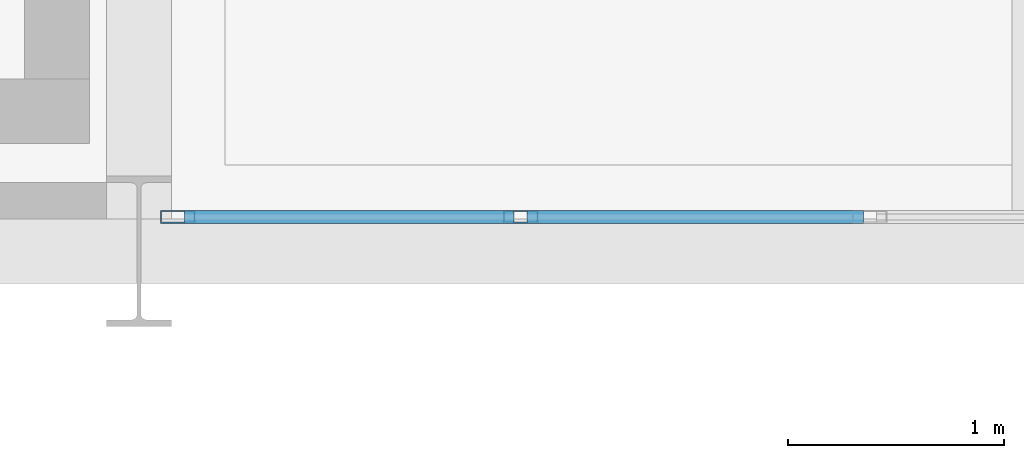
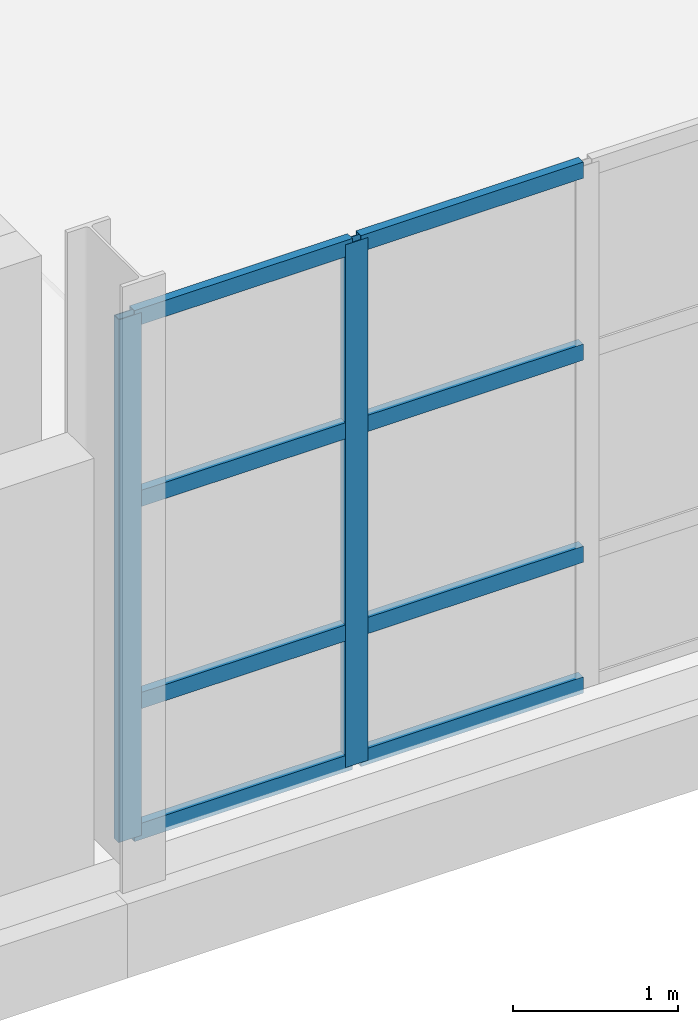
# One storey, part 32 of 113: 10 members, 1 element without a shape of its own.
"""IFC4 building model written with IfcOpenShell, lengths in metres."""

from ifc_helpers import new_model, si_unit, direction, frame, origin, origin_2d, place, context, subcontext, project, spatial, hollow_rectangle, extrude, material, material_profile, profile_set, type_object, element, aggregate, save


model = new_model("IFC4")

# Units and contexts
model_context = context("Model", 3, precision=1e-05, world=origin(), true_north=direction((0.0, 1.0)))
body_context = subcontext(model_context, "Body", "Model", "MODEL_VIEW")
ifc_project = project(units=[si_unit("LENGTHUNIT", "METRE"), si_unit("AREAUNIT", "SQUARE_METRE"), si_unit("VOLUMEUNIT", "CUBIC_METRE"), si_unit("PLANEANGLEUNIT", "RADIAN"), si_unit("MASSUNIT", "GRAM", prefix="KILO")], contexts=[model_context])

# Site, building, storey
site_placement = place(None, origin())
site = spatial("IfcSite", under=ifc_project, at=site_placement, CompositionType="ELEMENT")
building_placement = place(site_placement, origin())
building = spatial("IfcBuilding", under=site, at=building_placement, Name="Veltarok Museum of Natural Sciences", CompositionType="ELEMENT")
storey_placement = place(building_placement, frame((0.0, 0.0, 8.39990234375)))
storey = spatial("IfcBuildingStorey", under=building, at=storey_placement, Name="L01", CompositionType="ELEMENT", Elevation=8.39990234375)

# Curtain wall, members
ifc_material_1 = material(Name="Low-iron triple insulated glass", Category="glass")
curtain_wall_type = type_object("IfcCurtainWallType", Name="Curtain Wall System CW-V5S-L01-14-810x388 (V5 South Lab Curtain Wall L01 14-15 810x388cm)", PredefinedType="NOTDEFINED", material=ifc_material_1)
curtain_wall_placement = place(storey_placement, origin())
curtain_wall = element("IfcCurtainWall", 1, at=curtain_wall_placement, inside=storey, type_object=curtain_wall_type, Name="Curtain Wall CW-V5S-L01-14-810x388 CW-0089", PredefinedType="NOTDEFINED")
ifc_material_2 = material(Name="Thermally broken anodised aluminium", Category="aluminium")
ifc_material_profile_1 = material_profile(ifc_material_2, hollow_rectangle(XDim=0.06005859375, YDim=0.1201171875, WallThickness=0.0048828125, at=origin_2d()), Name="CW TRANSOM 60x120x5")
ifc_profile_set_1 = profile_set([ifc_material_profile_1], Name="Thermally broken anodised aluminium")
member_type_1 = type_object("IfcMemberType", Name="Curtain Wall Horizontal Transom 60x120x5", PredefinedType="USERDEFINED", material=ifc_profile_set_1)
member_1_placement = place(storey_placement, frame((115.81005859375, 0.159912109375, 0.030029296875), z_axis=(1.0, 0.0, 0.0), x_axis=(0.0, 1.0, 0.0)))
member_1 = element("IfcMember", 2, at=member_1_placement, type_object=member_type_1, Name="CW-V5S-L01-14-810x388 transom 1.1", ObjectType="TRANSOM", PredefinedType="USERDEFINED", context=body_context, shape_type="SweptSolid", body=[
    extrude(hollow_rectangle(XDim=0.06005859375, YDim=0.1201171875, WallThickness=0.0048828125, at=origin_2d()), origin(), (0.0, 0.0, 1.0), 1.530029296875),
])
member_2_placement = place(storey_placement, frame((115.81005859375, 0.159912109375, 1.0), z_axis=(1.0, 0.0, 0.0), x_axis=(0.0, 1.0, 0.0)))
member_2 = element("IfcMember", 3, at=member_2_placement, type_object=member_type_1, Name="CW-V5S-L01-14-810x388 transom 1.2", ObjectType="TRANSOM", PredefinedType="USERDEFINED", context=body_context, shape_type="SweptSolid", body=[
    extrude(hollow_rectangle(XDim=0.06005859375, YDim=0.1201171875, WallThickness=0.0048828125, at=origin_2d()), origin(), (0.0, 0.0, 1.0), 1.530029296875),
])
member_3_placement = place(storey_placement, frame((115.81005859375, 0.159912109375, 2.5), z_axis=(1.0, 0.0, 0.0), x_axis=(0.0, 1.0, 0.0)))
member_3 = element("IfcMember", 4, at=member_3_placement, type_object=member_type_1, Name="CW-V5S-L01-14-810x388 transom 1.3", ObjectType="TRANSOM", PredefinedType="USERDEFINED", context=body_context, shape_type="SweptSolid", body=[
    extrude(hollow_rectangle(XDim=0.06005859375, YDim=0.1201171875, WallThickness=0.0048828125, at=origin_2d()), origin(), (0.0, 0.0, 1.0), 1.530029296875),
])
member_4_placement = place(storey_placement, frame((115.81005859375, 0.159912109375, 3.85009765625), z_axis=(1.0, 0.0, 0.0), x_axis=(0.0, 1.0, 0.0)))
member_4 = element("IfcMember", 5, at=member_4_placement, type_object=member_type_1, Name="CW-V5S-L01-14-810x388 transom 1.4", ObjectType="TRANSOM", PredefinedType="USERDEFINED", context=body_context, shape_type="SweptSolid", body=[
    extrude(hollow_rectangle(XDim=0.06005859375, YDim=0.1201171875, WallThickness=0.0048828125, at=origin_2d()), origin(), (0.0, 0.0, 1.0), 1.530029296875),
])
member_5_placement = place(storey_placement, frame((117.39990234375, 0.159912109375, 0.030029296875), z_axis=(1.0, 0.0, 0.0), x_axis=(0.0, 1.0, 0.0)))
member_5 = element("IfcMember", 6, at=member_5_placement, type_object=member_type_1, Name="CW-V5S-L01-14-810x388 transom 2.1", ObjectType="TRANSOM", PredefinedType="USERDEFINED", context=body_context, shape_type="SweptSolid", body=[
    extrude(hollow_rectangle(XDim=0.06005859375, YDim=0.1201171875, WallThickness=0.0048828125, at=origin_2d()), origin(), (0.0, 0.0, 1.0), 1.56005859375),
])
member_6_placement = place(storey_placement, frame((117.39990234375, 0.159912109375, 1.0), z_axis=(1.0, 0.0, 0.0), x_axis=(0.0, 1.0, 0.0)))
member_6 = element("IfcMember", 7, at=member_6_placement, type_object=member_type_1, Name="CW-V5S-L01-14-810x388 transom 2.2", ObjectType="TRANSOM", PredefinedType="USERDEFINED", context=body_context, shape_type="SweptSolid", body=[
    extrude(hollow_rectangle(XDim=0.06005859375, YDim=0.1201171875, WallThickness=0.0048828125, at=origin_2d()), origin(), (0.0, 0.0, 1.0), 1.56005859375),
])
member_7_placement = place(storey_placement, frame((117.39990234375, 0.159912109375, 2.5), z_axis=(1.0, 0.0, 0.0), x_axis=(0.0, 1.0, 0.0)))
member_7 = element("IfcMember", 8, at=member_7_placement, type_object=member_type_1, Name="CW-V5S-L01-14-810x388 transom 2.3", ObjectType="TRANSOM", PredefinedType="USERDEFINED", context=body_context, shape_type="SweptSolid", body=[
    extrude(hollow_rectangle(XDim=0.06005859375, YDim=0.1201171875, WallThickness=0.0048828125, at=origin_2d()), origin(), (0.0, 0.0, 1.0), 1.56005859375),
])
member_8_placement = place(storey_placement, frame((117.39990234375, 0.159912109375, 3.85009765625), z_axis=(1.0, 0.0, 0.0), x_axis=(0.0, 1.0, 0.0)))
member_8 = element("IfcMember", 9, at=member_8_placement, type_object=member_type_1, Name="CW-V5S-L01-14-810x388 transom 2.4", ObjectType="TRANSOM", PredefinedType="USERDEFINED", context=body_context, shape_type="SweptSolid", body=[
    extrude(hollow_rectangle(XDim=0.06005859375, YDim=0.1201171875, WallThickness=0.0048828125, at=origin_2d()), origin(), (0.0, 0.0, 1.0), 1.56005859375),
])
ifc_material_profile_2 = material_profile(ifc_material_2, hollow_rectangle(XDim=0.06005859375, YDim=0.159912109375, WallThickness=0.0048828125, at=origin_2d()), Name="CW MULLION 60x160x5")
ifc_profile_set_2 = profile_set([ifc_material_profile_2], Name="Thermally broken anodised aluminium")
member_type_2 = type_object("IfcMemberType", Name="Curtain Wall Vertical Mullion 60x160x5", PredefinedType="MULLION", material=ifc_profile_set_2)
member_9_placement = place(storey_placement, frame((115.780029296875, 0.159912109375, 0.0), z_axis=(0.0, 0.0, 1.0), x_axis=(0.0, 1.0, 0.0)))
member_9 = element("IfcMember", 10, at=member_9_placement, type_object=member_type_2, Name="CW-V5S-L01-14-810x388 mullion 1", PredefinedType="MULLION", context=body_context, shape_type="SweptSolid", body=[
    extrude(hollow_rectangle(XDim=0.06005859375, YDim=0.159912109375, WallThickness=0.0048828125, at=origin_2d()), origin(), (0.0, 0.0, 1.0), 3.880126953125),
])
member_10_placement = place(storey_placement, frame((117.3701171875, 0.159912109375, 0.0), z_axis=(0.0, 0.0, 1.0), x_axis=(0.0, 1.0, 0.0)))
member_10 = element("IfcMember", 11, at=member_10_placement, type_object=member_type_2, Name="CW-V5S-L01-14-810x388 mullion 2", PredefinedType="MULLION", context=body_context, shape_type="SweptSolid", body=[
    extrude(hollow_rectangle(XDim=0.06005859375, YDim=0.159912109375, WallThickness=0.0048828125, at=origin_2d()), origin(), (0.0, 0.0, 1.0), 3.880126953125),
])
aggregate(curtain_wall, [member_9, member_10, member_1, member_2, member_3, member_4, member_5, member_6, member_7, member_8])

save(model, "model.ifc")
